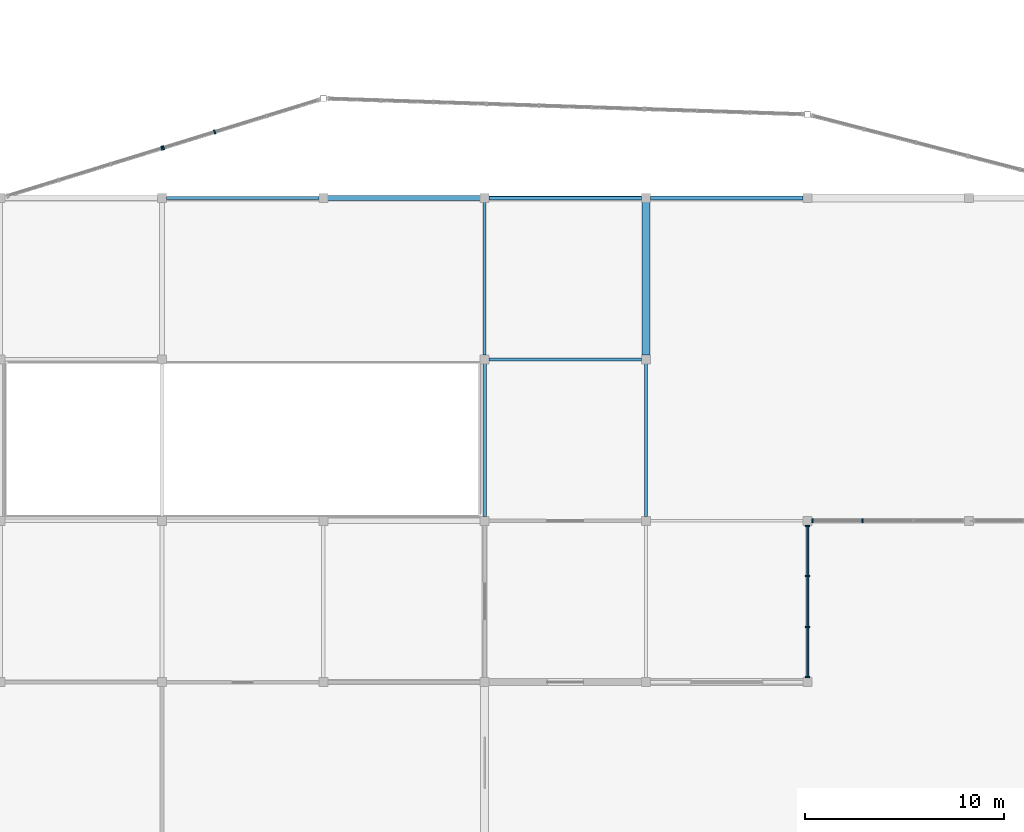
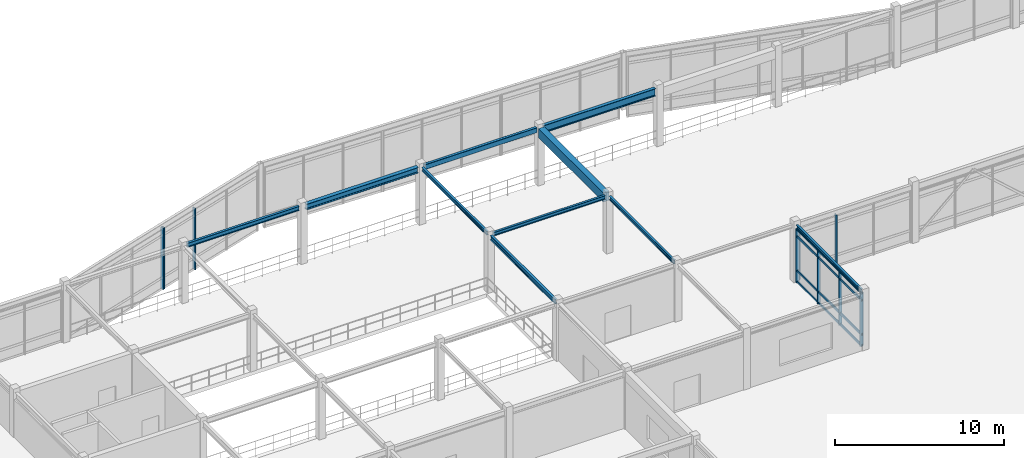
# One storey, part 26 of 89: 13 members, 10 beams, 4 elements without a shape of their own.
"""IFC4 building model written with IfcOpenShell, lengths in metres."""

from ifc_helpers import new_model, si_unit, direction, frame, origin, origin_2d, place, context, subcontext, project, spatial, rectangle, hollow_rectangle, i_section, extrude, material, layer, layer_set, material_profile, profile_set, type_object, element, aggregate, save


model = new_model("IFC4")

# Units and contexts
model_context = context("Model", 3, precision=1e-05, world=origin(), true_north=direction((0.0, 1.0)))
body_context = subcontext(model_context, "Body", "Model", "MODEL_VIEW")
ifc_project = project(units=[si_unit("LENGTHUNIT", "METRE"), si_unit("AREAUNIT", "SQUARE_METRE"), si_unit("VOLUMEUNIT", "CUBIC_METRE"), si_unit("PLANEANGLEUNIT", "RADIAN"), si_unit("MASSUNIT", "GRAM", prefix="KILO")], contexts=[model_context])

# Site, building, storey
site_placement = place(None, origin())
site = spatial("IfcSite", under=ifc_project, at=site_placement, CompositionType="ELEMENT")
building_placement = place(site_placement, origin())
building = spatial("IfcBuilding", under=site, at=building_placement, Name="Vaudrelin Polytechnic", CompositionType="ELEMENT")
storey_placement = place(building_placement, frame((0.0, 0.0, 9.68994140625)))
storey = spatial("IfcBuildingStorey", under=building, at=storey_placement, Name="L02", CompositionType="ELEMENT", Elevation=9.68994140625)

# Beams
ifc_material_1 = material(Name="Steel CSA G40.21 350WT", Category="steel")
ifc_material_profile_1 = material_profile(ifc_material_1, i_section(OverallWidth=0.260009765625, OverallDepth=0.4150390625, WebThickness=0.010009765625, FlangeThickness=0.016845703125, FilletRadius=0.01611328125, at=origin_2d()), Name="W410x100")
ifc_profile_set_1 = profile_set([ifc_material_profile_1], Name="Steel CSA G40.21 350WT")
beam_type_1 = type_object("IfcBeamType", Name="BM-BM-W410H", PredefinedType="SPANDREL", material=ifc_profile_set_1)
beam_1_placement = place(storey_placement, frame((73.12109375, 48.60009765625, 3.9326171875), z_axis=(1.0, 0.0, 0.0), x_axis=(0.0, 1.0, 0.0)))
element("IfcBeam", 1, at=beam_1_placement, inside=storey, type_object=beam_type_1, Name="L02 X-beam 10-7", PredefinedType="SPANDREL", context=body_context, shape_type="SweptSolid", body=[
    extrude(i_section(OverallWidth=0.260009765625, OverallDepth=0.4150390625, WebThickness=0.010009765625, FlangeThickness=0.016845703125, FilletRadius=0.01611328125, at=origin_2d()), origin(), (0.0, 0.0, 1.0), 7.657958984375),
])
ifc_material_2 = material(Name="Steel CSA G40.21 350W", Category="steel")
ifc_material_profile_2 = material_profile(ifc_material_2, i_section(OverallWidth=0.214111328125, OverallDepth=0.549072265625, WebThickness=0.0146484375, FlangeThickness=0.023681640625, FilletRadius=0.01904296875, at=origin_2d()), Name="W530x138")
ifc_profile_set_2 = profile_set([ifc_material_profile_2], Name="Steel CSA G40.21 350W")
beam_type_2 = type_object("IfcBeamType", Name="BM-BM-W530H", PredefinedType="BEAM", material=ifc_profile_set_2)
beam_2_placement = place(storey_placement, frame((89.321044921875, 48.60009765625, 3.865478515625), z_axis=(1.0, 0.0, 0.0), x_axis=(0.0, 1.0, 0.0)))
element("IfcBeam", 2, at=beam_2_placement, inside=storey, type_object=beam_type_2, Name="L02 X-beam 12-7", PredefinedType="BEAM", context=body_context, shape_type="SweptSolid", body=[
    extrude(i_section(OverallWidth=0.214111328125, OverallDepth=0.549072265625, WebThickness=0.0146484375, FlangeThickness=0.023681640625, FilletRadius=0.01904296875, at=origin_2d()), origin(), (0.0, 0.0, 1.0), 7.657958984375),
])
ifc_material_profile_3 = material_profile(ifc_material_2, i_section(OverallWidth=0.14794921875, OverallDepth=0.26611328125, WebThickness=0.007568359375, FlangeThickness=0.012939453125, FilletRadius=0.012939453125, at=origin_2d()), Name="W250x45")
ifc_profile_set_3 = profile_set([ifc_material_profile_3], Name="Steel CSA G40.21 350W")
beam_type_3 = type_object("IfcBeamType", Name="BM-JS-W250", PredefinedType="JOIST", material=ifc_profile_set_3)
for number, where, z_axis, x_axis, name in (
    (3, (81.0, 40.7099609375, 4.007080078125), (0.0, 1.0, 0.0), (-1.0, 0.0, 0.0), "L02 Y-beam 11-6"),
    (4, (89.10009765625, 32.610107421875, 4.007080078125), (0.0, 1.0, 0.0), (-1.0, 0.0, 0.0), "L02 Y-beam 12-5"),
    (5, (97.199951171875, 24.510009765625, 4.007080078125), (0.0, 1.0, 0.0), (-1.0, 0.0, 0.0), "L02 Y-beam 13-4"),
):
    element("IfcBeam", number, at=place(storey_placement, frame(where, z_axis=z_axis, x_axis=x_axis)), inside=storey, type_object=beam_type_3, Name=name, PredefinedType="JOIST", context=body_context, shape_type="SweptSolid", body=[
        extrude(i_section(OverallWidth=0.14794921875, OverallDepth=0.26611328125, WebThickness=0.007568359375, FlangeThickness=0.012939453125, FilletRadius=0.012939453125, at=origin_2d()), origin(), (0.0, 0.0, 1.0), 7.679931640625),
    ])
beam_3_placement = place(storey_placement, frame((81.220947265625, 40.5, 4.007080078125), z_axis=(1.0, 0.0, 0.0), x_axis=(0.0, 1.0, 0.0)))
element("IfcBeam", 6, at=beam_3_placement, inside=storey, type_object=beam_type_3, Name="L02 X-beam 11-6", PredefinedType="JOIST", context=body_context, shape_type="SweptSolid", body=[
    extrude(i_section(OverallWidth=0.14794921875, OverallDepth=0.26611328125, WebThickness=0.007568359375, FlangeThickness=0.012939453125, FilletRadius=0.012939453125, at=origin_2d()), origin(), (0.0, 0.0, 1.0), 7.657958984375),
])
ifc_material_profile_4 = material_profile(ifc_material_2, i_section(OverallWidth=0.1669921875, OverallDepth=0.31689453125, WebThickness=0.007568359375, FlangeThickness=0.01318359375, FilletRadius=0.013916015625, at=origin_2d()), Name="W310x52")
ifc_profile_set_4 = profile_set([ifc_material_profile_4], Name="Steel CSA G40.21 350W")
beam_type_4 = type_object("IfcBeamType", Name="BM-JS-W310", PredefinedType="JOIST", material=ifc_profile_set_4)
beam_4_placement = place(storey_placement, frame((81.0, 32.610107421875, 3.9814453125), z_axis=(0.0, 1.0, 0.0), x_axis=(-1.0, 0.0, 0.0)))
element("IfcBeam", 7, at=beam_4_placement, inside=storey, type_object=beam_type_4, Name="L02 Y-beam 11-5", PredefinedType="JOIST", context=body_context, shape_type="SweptSolid", body=[
    extrude(i_section(OverallWidth=0.1669921875, OverallDepth=0.31689453125, WebThickness=0.007568359375, FlangeThickness=0.01318359375, FilletRadius=0.013916015625, at=origin_2d()), origin(), (0.0, 0.0, 1.0), 7.679931640625),
])
beam_5_placement = place(storey_placement, frame((65.02099609375, 48.60009765625, 3.9814453125), z_axis=(1.0, 0.0, 0.0), x_axis=(0.0, 1.0, 0.0)))
element("IfcBeam", 8, at=beam_5_placement, inside=storey, type_object=beam_type_4, Name="L02 X-beam 9-7", PredefinedType="JOIST", context=body_context, shape_type="SweptSolid", body=[
    extrude(i_section(OverallWidth=0.1669921875, OverallDepth=0.31689453125, WebThickness=0.007568359375, FlangeThickness=0.01318359375, FilletRadius=0.013916015625, at=origin_2d()), origin(), (0.0, 0.0, 1.0), 7.657958984375),
])
ifc_material_profile_5 = material_profile(ifc_material_1, hollow_rectangle(XDim=0.202880859375, YDim=0.35595703125, WallThickness=0.0126953125, InnerFilletRadius=0.0126953125, OuterFilletRadius=0.025390625, at=origin_2d()), Name="HSS356x203x12.7")
ifc_profile_set_5 = profile_set([ifc_material_profile_5], Name="Steel CSA G40.21 350WT")
beam_type_5 = type_object("IfcBeamType", Name="BM-SP-HSS35", PredefinedType="SPANDREL", material=ifc_profile_set_5)
beam_6_placement = place(storey_placement, frame((81.220947265625, 48.60009765625, 3.962158203125), z_axis=(1.0, 0.0, 0.0), x_axis=(0.0, 1.0, 0.0)))
element("IfcBeam", 9, at=beam_6_placement, inside=storey, type_object=beam_type_5, Name="L02 X-beam 11-7", PredefinedType="SPANDREL", context=body_context, shape_type="SweptSolid", body=[
    extrude(hollow_rectangle(XDim=0.202880859375, YDim=0.35595703125, WallThickness=0.0126953125, InnerFilletRadius=0.0126953125, OuterFilletRadius=0.025390625, at=origin_2d()), origin(), (0.0, 0.0, 1.0), 7.657958984375),
])
ifc_material_3 = material(Name="Concrete 40 MPa", Category="concrete")
ifc_material_profile_6 = material_profile(ifc_material_3, rectangle(XDim=0.39990234375, YDim=0.64990234375, at=origin_2d()), Name="RC400x650")
ifc_profile_set_6 = profile_set([ifc_material_profile_6], Name="Concrete 40 MPa")
beam_type_6 = type_object("IfcBeamType", Name="BM-SP-RC4065", PredefinedType="SPANDREL", material=ifc_profile_set_6)
beam_7_placement = place(storey_placement, frame((89.10009765625, 40.7099609375, 3.81494140625), z_axis=(0.0, 1.0, 0.0), x_axis=(-1.0, 0.0, 0.0)))
element("IfcBeam", 10, at=beam_7_placement, inside=storey, type_object=beam_type_6, Name="L02 Y-beam 12-6", PredefinedType="SPANDREL", context=body_context, shape_type="SweptSolid", body=[
    extrude(rectangle(XDim=0.39990234375, YDim=0.64990234375, at=origin_2d()), origin(), (0.0, 0.0, 1.0), 7.679931640625),
])

# Curtain wall, members
ifc_material_4 = material(Name="Thermally broken anodised aluminium AA 6063-T6 and low-e triple glazing", Category="aluminium")
ifc_layer = layer(ifc_material_4, 0.199951171875)
ifc_layer_set = layer_set([ifc_layer], Name="Thermally broken anodised aluminium AA 6063-T6 and low-e triple glazing")
curtain_wall_type = type_object("IfcCurtainWallType", Name="CW-CW-WG", PredefinedType="USERDEFINED", material=ifc_layer_set)
curtain_wall_1_placement = place(storey_placement, origin())
curtain_wall_1 = element("IfcCurtainWall", 11, at=curtain_wall_1_placement, inside=storey, type_object=curtain_wall_type, Name="Curtain wall L02 E_RGL_00", ObjectType="CURTAIN WALL", PredefinedType="USERDEFINED")
ifc_material_5 = material(Name="Anodised aluminium AA 6063-T6", Category="aluminium")
ifc_material_profile_7 = material_profile(ifc_material_5, rectangle(XDim=0.074951171875, YDim=0.219970703125, at=origin_2d()), Name="CWM-75x220")
ifc_profile_set_7 = profile_set([ifc_material_profile_7], Name="Anodised aluminium AA 6063-T6")
member_type_1 = type_object("IfcMemberType", Name="MEM-CWM-220", PredefinedType="MULLION", material=ifc_profile_set_7)
member_1_placement = place(storey_placement, frame((97.199951171875, 24.56298828125, 0.0), z_axis=(0.0, 0.0, 1.0), x_axis=(0.0, 1.0, 0.0)))
member_1 = element("IfcMember", 12, at=member_1_placement, type_object=member_type_1, Name="E_RGL_00 mullion 1", PredefinedType="MULLION", context=body_context, shape_type="SweptSolid", body=[
    extrude(rectangle(XDim=0.074951171875, YDim=0.219970703125, at=origin_2d()), origin(), (0.0, 0.0, 1.0), 3.8759765625),
])
member_2_placement = place(storey_placement, frame((97.199951171875, 27.07421875, 0.0), z_axis=(0.0, 0.0, 1.0), x_axis=(0.0, 1.0, 0.0)))
member_2 = element("IfcMember", 13, at=member_2_placement, type_object=member_type_1, Name="E_RGL_00 mullion 2", PredefinedType="MULLION", context=body_context, shape_type="SweptSolid", body=[
    extrude(rectangle(XDim=0.074951171875, YDim=0.219970703125, at=origin_2d()), origin(), (0.0, 0.0, 1.0), 3.8759765625),
])
member_3_placement = place(storey_placement, frame((97.199951171875, 29.625732421875, 0.0), z_axis=(0.0, 0.0, 1.0), x_axis=(0.0, 1.0, 0.0)))
member_3 = element("IfcMember", 14, at=member_3_placement, type_object=member_type_1, Name="E_RGL_00 mullion 3", PredefinedType="MULLION", context=body_context, shape_type="SweptSolid", body=[
    extrude(rectangle(XDim=0.074951171875, YDim=0.219970703125, at=origin_2d()), origin(), (0.0, 0.0, 1.0), 3.8759765625),
])
member_4_placement = place(storey_placement, frame((97.199951171875, 32.136962890625, 0.0), z_axis=(0.0, 0.0, 1.0), x_axis=(0.0, 1.0, 0.0)))
member_4 = element("IfcMember", 15, at=member_4_placement, type_object=member_type_1, Name="E_RGL_00 mullion 4", PredefinedType="MULLION", context=body_context, shape_type="SweptSolid", body=[
    extrude(rectangle(XDim=0.074951171875, YDim=0.219970703125, at=origin_2d()), origin(), (0.0, 0.0, 1.0), 3.8759765625),
])

curtain_wall_2_placement = place(storey_placement, origin())
curtain_wall_2 = element("IfcCurtainWall", 16, at=curtain_wall_2_placement, inside=storey, type_object=curtain_wall_type, Name="Curtain wall L02 S_V6E_00", ObjectType="CURTAIN WALL", PredefinedType="USERDEFINED")
member_5_placement = place(storey_placement, frame((97.462890625, 32.39990234375, 0.0), z_axis=(0.0, 0.0, 1.0), x_axis=(1.0, 0.0, 0.0)))
member_5 = element("IfcMember", 17, at=member_5_placement, type_object=member_type_1, Name="S_V6E_00 mullion 1", PredefinedType="MULLION", context=body_context, shape_type="SweptSolid", body=[
    extrude(rectangle(XDim=0.074951171875, YDim=0.219970703125, at=origin_2d()), origin(), (0.0, 0.0, 1.0), 3.7861328125),
])
member_6_placement = place(storey_placement, frame((99.974365234375, 32.39990234375, 0.0), z_axis=(0.0, 0.0, 1.0), x_axis=(1.0, 0.0, 0.0)))
member_6 = element("IfcMember", 18, at=member_6_placement, type_object=member_type_1, Name="S_V6E_00 mullion 2", PredefinedType="MULLION", context=body_context, shape_type="SweptSolid", body=[
    extrude(rectangle(XDim=0.074951171875, YDim=0.219970703125, at=origin_2d()), origin(), (0.0, 0.0, 1.0), 3.7861328125),
])
aggregate(curtain_wall_2, [member_5, member_6])

# Curtain wall, member
curtain_wall_3_placement = place(storey_placement, origin())
curtain_wall_3 = element("IfcCurtainWall", 19, at=curtain_wall_3_placement, inside=storey, type_object=curtain_wall_type, Name="Curtain wall L02 CT_OR1_1_0", ObjectType="CURTAIN WALL", PredefinedType="USERDEFINED")
member_7_placement = place(storey_placement, frame((64.798095703125, 51.099365234375, -0.6298828125), z_axis=(0.0, 0.0, 1.0), x_axis=(0.955523502988, 0.294914962723, 0.0)))
member_7 = element("IfcMember", 20, at=member_7_placement, type_object=member_type_1, Name="CT_OR1_1_0 mullion 4", PredefinedType="MULLION", context=body_context, shape_type="SweptSolid", body=[
    extrude(rectangle(XDim=0.074951171875, YDim=0.219970703125, at=origin_2d()), origin(), (0.0, 0.0, 1.0), 4.43994140625),
])
aggregate(curtain_wall_3, [member_7])

# Curtain wall, members
curtain_wall_4_placement = place(storey_placement, origin())
curtain_wall_4 = element("IfcCurtainWall", 21, at=curtain_wall_4_placement, inside=storey, type_object=curtain_wall_type, Name="Curtain wall L02 CT_OR1_1_1", ObjectType="CURTAIN WALL", PredefinedType="USERDEFINED")
member_8_placement = place(storey_placement, frame((64.87451171875, 51.123046875, -0.6298828125), z_axis=(0.0, 0.0, 1.0), x_axis=(0.955522441596, 0.294918401608, 0.0)))
member_8 = element("IfcMember", 22, at=member_8_placement, type_object=member_type_1, Name="CT_OR1_1_1 mullion 1", PredefinedType="MULLION", context=body_context, shape_type="SweptSolid", body=[
    extrude(rectangle(XDim=0.074951171875, YDim=0.219970703125, at=origin_2d()), origin(), (0.0, 0.0, 1.0), 4.43994140625),
])
member_9_placement = place(storey_placement, frame((67.4462890625, 51.916748046875, -0.6298828125), z_axis=(0.0, 0.0, 1.0), x_axis=(0.955522441596, 0.294918401608, 0.0)))
member_9 = element("IfcMember", 23, at=member_9_placement, type_object=member_type_1, Name="CT_OR1_1_1 mullion 2", PredefinedType="MULLION", context=body_context, shape_type="SweptSolid", body=[
    extrude(rectangle(XDim=0.074951171875, YDim=0.219970703125, at=origin_2d()), origin(), (0.0, 0.0, 1.0), 4.43994140625),
])
aggregate(curtain_wall_4, [member_8, member_9])

# Member
ifc_material_profile_8 = material_profile(ifc_material_5, rectangle(XDim=0.074951171875, YDim=0.1650390625, at=origin_2d()), Name="CWT-75x165")
ifc_profile_set_8 = profile_set([ifc_material_profile_8], Name="Anodised aluminium AA 6063-T6")
member_type_2 = type_object("IfcMemberType", Name="MEM-CWT-165", PredefinedType="USERDEFINED", material=ifc_profile_set_8)
member_10_placement = place(storey_placement, frame((97.199951171875, 24.52294921875, 0.050048828125), z_axis=(0.0, 1.0, 0.0), x_axis=(-1.0, 0.0, 0.0)))
member_10 = element("IfcMember", 24, at=member_10_placement, type_object=member_type_2, Name="E_RGL_00 transom 1", ObjectType="TRANSOM", PredefinedType="USERDEFINED", context=body_context, shape_type="SweptSolid", body=[
    extrude(rectangle(XDim=0.074951171875, YDim=0.1650390625, at=origin_2d()), origin(), (0.0, 0.0, 1.0), 7.654052734375),
])

member_11_placement = place(storey_placement, frame((97.199951171875, 24.52294921875, 0.85009765625), z_axis=(0.0, 1.0, 0.0), x_axis=(-1.0, 0.0, 0.0)))
member_11 = element("IfcMember", 25, at=member_11_placement, type_object=member_type_2, Name="E_RGL_00 transom 2", ObjectType="TRANSOM", PredefinedType="USERDEFINED", context=body_context, shape_type="SweptSolid", body=[
    extrude(rectangle(XDim=0.074951171875, YDim=0.1650390625, at=origin_2d()), origin(), (0.0, 0.0, 1.0), 7.654052734375),
])

member_12_placement = place(storey_placement, frame((97.199951171875, 24.52294921875, 3.326171875), z_axis=(0.0, 1.0, 0.0), x_axis=(-1.0, 0.0, 0.0)))
member_12 = element("IfcMember", 26, at=member_12_placement, type_object=member_type_2, Name="E_RGL_00 transom 3", ObjectType="TRANSOM", PredefinedType="USERDEFINED", context=body_context, shape_type="SweptSolid", body=[
    extrude(rectangle(XDim=0.074951171875, YDim=0.1650390625, at=origin_2d()), origin(), (0.0, 0.0, 1.0), 7.654052734375),
])

member_13_placement = place(storey_placement, frame((97.199951171875, 24.52294921875, 3.826171875), z_axis=(0.0, 1.0, 0.0), x_axis=(-1.0, 0.0, 0.0)))
member_13 = element("IfcMember", 27, at=member_13_placement, type_object=member_type_2, Name="E_RGL_00 transom 4", ObjectType="TRANSOM", PredefinedType="USERDEFINED", context=body_context, shape_type="SweptSolid", body=[
    extrude(rectangle(XDim=0.074951171875, YDim=0.1650390625, at=origin_2d()), origin(), (0.0, 0.0, 1.0), 7.654052734375),
])

aggregate(curtain_wall_1, [member_1, member_2, member_3, member_4, member_10, member_11, member_12, member_13])

save(model, "model.ifc")
